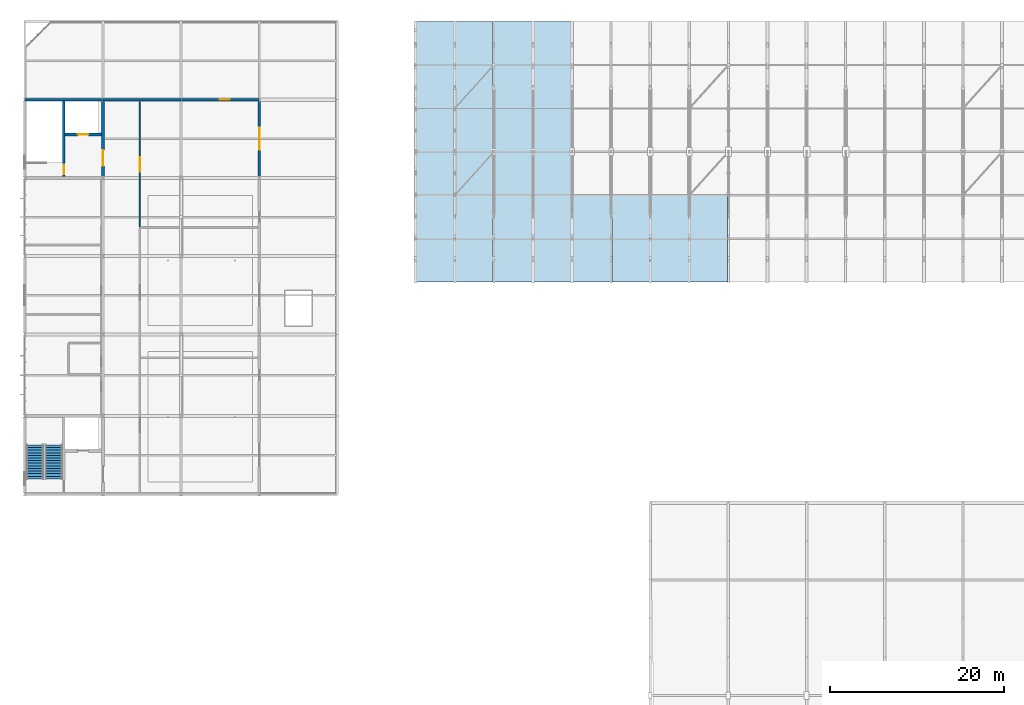
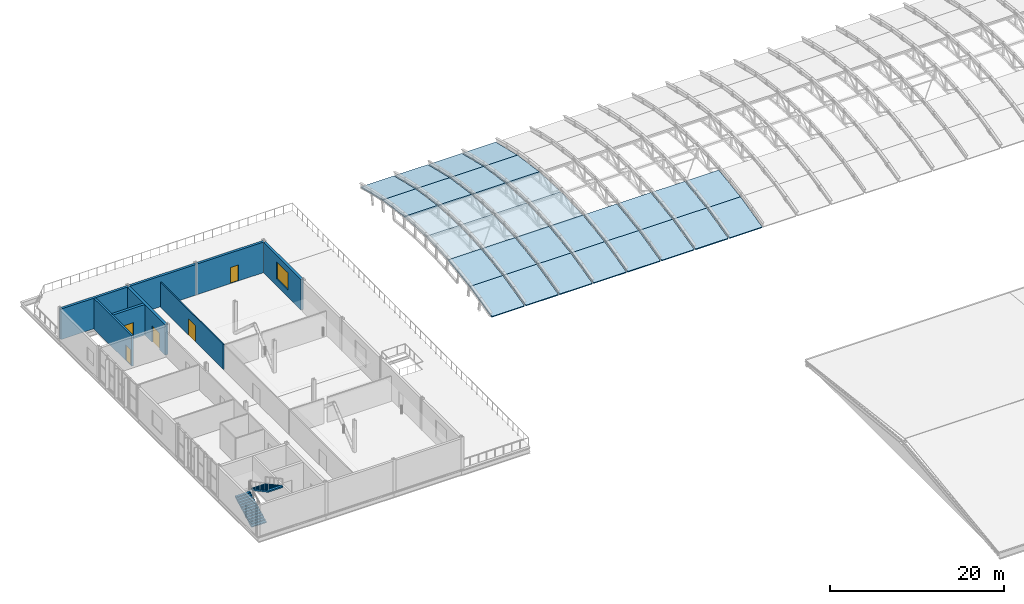
# One storey, part 43 of 53: 32 roofs, 8 walls, 5 doors, 2 stair flights, 1 window, 6 openings, 1 element without a shape of its own.
"""IFC4 building model written with IfcOpenShell, lengths in metres."""

from ifc_helpers import new_model, si_unit, direction, frame, frame_2d, origin, place, context, subcontext, project, spatial, polyline, rectangle, outline, extrude, material, layer, layer_set, type_object, element, fill, aggregate, save


model = new_model("IFC4")

# Units and contexts
model_context = context("Model", 3, precision=1e-05, world=origin(), true_north=direction((0.0, 1.0)))
body_context = subcontext(model_context, "Body", "Model", "MODEL_VIEW")
ifc_project = project(units=[si_unit("LENGTHUNIT", "METRE"), si_unit("AREAUNIT", "SQUARE_METRE"), si_unit("VOLUMEUNIT", "CUBIC_METRE"), si_unit("PLANEANGLEUNIT", "RADIAN"), si_unit("MASSUNIT", "GRAM", prefix="KILO")], contexts=[model_context])

# Site, building, storey
site_placement = place(None, origin())
site = spatial("IfcSite", under=ifc_project, at=site_placement, CompositionType="ELEMENT")
building_placement = place(site_placement, origin())
building = spatial("IfcBuilding", under=site, at=building_placement, Name="Cazmaro Siding Exhibition Halls", CompositionType="ELEMENT")
storey_placement = place(building_placement, frame((0.0, 0.0, 21.0)))
storey = spatial("IfcBuildingStorey", under=building, at=storey_placement, Name="L04", CompositionType="ELEMENT", Elevation=21.0)

# Wall, opening, window
ifc_material_1 = material(Name="Concrete f'c 45 MPa", Category="concrete")
ifc_layer_1 = layer(ifc_material_1, 0.320068359375)
ifc_layer_set_1 = layer_set([ifc_layer_1], Name="Concrete f'c 45 MPa")
wall_type_1 = type_object("IfcWallType", Name="EW-01", PredefinedType="STANDARD", material=ifc_layer_set_1)
wall_1_placement = place(storey_placement, frame((27.0, 99.820068359375, 0.0), z_axis=(0.0, 0.0, 1.0), x_axis=(0.0, -1.0, 0.0)))
wall_1 = element("IfcWall", 1, at=wall_1_placement, inside=storey, type_object=wall_type_1, Name="L04 Terrace Access Wall EW-01 WL-E0311", PredefinedType="STANDARD", context=body_context, shape_type="SweptSolid", body=[
    extrude(rectangle(XDim=8.64013671875, YDim=0.320068359375, at=frame_2d((4.320068359375, 0.0))), origin(), (0.0, 0.0, 1.0), 4.2900390625),
])
opening_1_placement = place(wall_1_placement, frame((3.044921875, 0.0, 1.0)))
opening_1 = element("IfcOpeningElement", 2, at=opening_1_placement, cuts=wall_1, Name="Opening W-105", PredefinedType="OPENING", context=body_context, shape_type="SweptSolid", body=[
    extrude(rectangle(XDim=2.550048828125, YDim=2.39990234375, at=frame_2d((1.27490234375, 1.199951171875))), frame((0.0, 0.169921875, 0.0), z_axis=(0.0, -1.0, 0.0), x_axis=(1.0, 0.0, 0.0)), (0.0, 0.0, 1.0), 0.340087890625),
])
ifc_material_2 = material(Name="Thermally Broken Aluminum Low-E Window Unit", Category="aluminium")
window_type = type_object("IfcWindowType", Name="WT-08", PartitioningType="SINGLE_PANEL", PredefinedType="WINDOW", material=ifc_material_2)
window_placement = place(opening_1_placement, origin())
window = element("IfcWindow", 3, at=window_placement, inside=storey, type_object=window_type, Name="Window W-105 (WT-08)", OverallHeight=2.39990234375, OverallWidth=2.550048828125, PartitioningType="SINGLE_PANEL", PredefinedType="WINDOW", context=body_context, shape_type="SweptSolid", body=[
    extrude(rectangle(XDim=2.550048828125, YDim=2.39990234375, at=frame_2d((1.27490234375, 1.199951171875))), frame((0.0, 0.030029296875, 0.0), z_axis=(0.0, -1.0, 0.0), x_axis=(1.0, 0.0, 0.0)), (0.0, 0.0, 1.0), 0.06005859375),
])
fill(opening_1, window)

# Walls
for number, where, z_axis, x_axis, name in (
    (4, (0.014892578125, 100.0, 0.0), (0.0, 0.0, 1.0), (1.0, 0.0, 0.0), "L04 North Terrace Wall EW-01 WL-E0315"),
    (5, (9.014892578125, 100.0, 0.0), (0.0, 0.0, 1.0), (1.0, 0.0, 0.0), "L04 North Terrace Wall EW-01 WL-E0316"),
):
    element("IfcWall", number, at=place(storey_placement, frame(where, z_axis=z_axis, x_axis=x_axis)), inside=storey, type_object=wall_type_1, Name=name, PredefinedType="STANDARD", context=body_context, shape_type="SweptSolid", body=[
        extrude(rectangle(XDim=8.97021484375, YDim=0.320068359375, at=frame_2d((4.485107421875, 0.0))), origin(), (0.0, 0.0, 1.0), 4.2900390625),
    ])

# Wall, opening, door
wall_2_placement = place(storey_placement, frame((18.014892578125, 100.0, 0.0), z_axis=(0.0, 0.0, 1.0), x_axis=(1.0, 0.0, 0.0)))
wall_2 = element("IfcWall", 6, at=wall_2_placement, inside=storey, type_object=wall_type_1, Name="L04 North Terrace Wall EW-01 WL-E0317", PredefinedType="STANDARD", context=body_context, shape_type="SweptSolid", body=[
    extrude(rectangle(XDim=8.97021484375, YDim=0.320068359375, at=frame_2d((4.485107421875, 0.0))), origin(), (0.0, 0.0, 1.0), 4.2900390625),
])
opening_2_placement = place(wall_2_placement, frame((4.449951171875, 0.0, 0.0)))
opening_2 = element("IfcOpeningElement", 7, at=opening_2_placement, cuts=wall_2, Name="Opening D-E076", PredefinedType="OPENING", context=body_context, shape_type="SweptSolid", body=[
    extrude(rectangle(XDim=1.1201171875, YDim=2.239990234375, at=frame_2d((0.56005859375, 1.1201171875))), frame((0.0, 0.169921875, 0.0), z_axis=(0.0, -1.0, 0.0), x_axis=(1.0, 0.0, 0.0)), (0.0, 0.0, 1.0), 0.340087890625),
])
ifc_material_3 = material(Name="Anodized Bronze Glazed Entrance Door", Category="aluminium")
door_type_1 = type_object("IfcDoorType", Name="ED-04", OperationType="NOTDEFINED", PredefinedType="DOOR", material=ifc_material_3)
door_1_placement = place(opening_2_placement, origin())
door_1 = element("IfcDoor", 8, at=door_1_placement, inside=storey, type_object=door_type_1, Name="Exterior door D-E076 (ED-04)", OperationType="SINGLE_SWING_RIGHT", OverallHeight=2.239990234375, OverallWidth=1.1201171875, PredefinedType="DOOR", context=body_context, shape_type="SweptSolid", body=[
    extrude(rectangle(XDim=1.1201171875, YDim=2.239990234375, at=frame_2d((0.56005859375, 1.1201171875))), frame((0.0, 0.02490234375, 0.0), z_axis=(0.0, -1.0, 0.0), x_axis=(1.0, 0.0, 0.0)), (0.0, 0.0, 1.0), 0.050048828125),
])
fill(opening_2, door_1)

ifc_material_4 = material(Name="Fire-Rated Gypsum Board on Cold-Formed Steel Studs", Category="steel")
ifc_layer_2 = layer(ifc_material_4, 0.14501953125)
ifc_layer_set_2 = layer_set([ifc_layer_2], Name="Fire-Rated Gypsum Board on Cold-Formed Steel Studs")
wall_type_2 = type_object("IfcWallType", Name="PW-01", PredefinedType="PARTITIONING", material=ifc_layer_set_2)
wall_3_placement = place(storey_placement, frame((13.25, 85.3798828125, 0.0), z_axis=(0.0, 0.0, 1.0), x_axis=(0.0, 1.0, 0.0)))
wall_3 = element("IfcWall", 9, at=wall_3_placement, inside=storey, type_object=wall_type_2, Name="West Wing East Corridor Wall L04 PW-01 WL-I0274", PredefinedType="PARTITIONING", context=body_context, shape_type="SweptSolid", body=[
    extrude(rectangle(XDim=14.3701171875, YDim=0.14501953125, at=frame_2d((7.18505859375, 0.0))), origin(), (0.0, 0.0, 1.0), 3.5),
])
opening_3_placement = place(wall_3_placement, frame((6.360107421875, 0.0, 0.0)))
opening_3 = element("IfcOpeningElement", 10, at=opening_3_placement, cuts=wall_3, Name="Opening D-I130", PredefinedType="OPENING", context=body_context, shape_type="SweptSolid", body=[
    extrude(rectangle(XDim=1.64990234375, YDim=2.25, at=frame_2d((0.824951171875, 1.125))), frame((0.0, 0.08251953125, 0.0), z_axis=(0.0, -1.0, 0.0), x_axis=(1.0, 0.0, 0.0)), (0.0, 0.0, 1.0), 0.1650390625),
])
ifc_material_5 = material(Name="Fire-Rated Painted Hollow Metal Door", Category="steel")
door_type_2 = type_object("IfcDoorType", Name="ID-05", OperationType="DOUBLE_DOOR_SINGLE_SWING", PredefinedType="DOOR", material=ifc_material_5)
door_2_placement = place(opening_3_placement, origin())
door_2 = element("IfcDoor", 11, at=door_2_placement, inside=storey, type_object=door_type_2, Name="Interior door D-I130 (ID-05)", OperationType="DOUBLE_DOOR_SINGLE_SWING", OverallHeight=2.25, OverallWidth=1.64990234375, PredefinedType="DOOR", context=body_context, shape_type="SweptSolid", body=[
    extrude(rectangle(XDim=1.64990234375, YDim=2.25, at=frame_2d((0.824951171875, 1.125))), frame((0.0, 0.02490234375, 0.0), z_axis=(0.0, -1.0, 0.0), x_axis=(1.0, 0.0, 0.0)), (0.0, 0.0, 1.0), 0.050048828125),
])
fill(opening_3, door_2)

ifc_material_6 = material(Name="Concrete f'c 50 MPa", Category="concrete")
ifc_layer_3 = layer(ifc_material_6, 0.360107421875)
ifc_layer_set_3 = layer_set([ifc_layer_3], Name="Concrete f'c 50 MPa")
wall_type_3 = type_object("IfcWallType", Name="SW-01", PredefinedType="SHEAR", material=ifc_layer_set_3)
wall_4_placement = place(storey_placement, frame((9.0, 91.180908203125, 0.0), z_axis=(0.0, 0.0, 1.0), x_axis=(0.0, 1.0, 0.0)))
wall_4 = element("IfcWall", 12, at=wall_4_placement, inside=storey, type_object=wall_type_3, Name="Core C8 East Shear Wall SW-01 WL-I0119", PredefinedType="SHEAR", context=body_context, shape_type="SweptSolid", body=[
    extrude(rectangle(XDim=8.63818359375, YDim=0.360107421875, at=frame_2d((4.319091796875, 0.0))), origin(), (0.0, 0.0, 1.0), 4.2900390625),
])
opening_4_placement = place(wall_4_placement, frame((1.218994140625, 0.0, 0.0)))
opening_4 = element("IfcOpeningElement", 13, at=opening_4_placement, cuts=wall_4, Name="Opening D-I058", PredefinedType="OPENING", context=body_context, shape_type="SweptSolid", body=[
    extrude(rectangle(XDim=1.800048828125, YDim=2.300048828125, at=frame_2d((0.89990234375, 1.14990234375))), frame((0.0, 0.18994140625, 0.0), z_axis=(0.0, -1.0, 0.0), x_axis=(1.0, 0.0, 0.0)), (0.0, 0.0, 1.0), 0.380126953125),
])
ifc_material_7 = material(Name="Fire-Rated Painted Hollow Metal Door", Category="steel")
door_type_3 = type_object("IfcDoorType", Name="ID-02", OperationType="DOUBLE_DOOR_SINGLE_SWING", PredefinedType="DOOR", material=ifc_material_7)
door_3_placement = place(opening_4_placement, origin())
door_3 = element("IfcDoor", 14, at=door_3_placement, inside=storey, type_object=door_type_3, Name="Interior door D-I058 (ID-02)", OperationType="DOUBLE_DOOR_SINGLE_SWING", OverallHeight=2.300048828125, OverallWidth=1.800048828125, PredefinedType="DOOR", context=body_context, shape_type="SweptSolid", body=[
    extrude(rectangle(XDim=1.800048828125, YDim=2.300048828125, at=frame_2d((0.89990234375, 1.14990234375))), frame((0.0, 0.02490234375, 0.0), z_axis=(0.0, -1.0, 0.0), x_axis=(1.0, 0.0, 0.0)), (0.0, 0.0, 1.0), 0.050048828125),
])
fill(opening_4, door_3)

wall_5_placement = place(storey_placement, frame((4.614990234375, 96.0, 0.0), z_axis=(0.0, 0.0, 1.0), x_axis=(1.0, 0.0, 0.0)))
wall_5 = element("IfcWall", 15, at=wall_5_placement, inside=storey, type_object=wall_type_3, Name="Core C8 Lift Shaft Wall SW-01 WL-I0122", PredefinedType="SHEAR", context=body_context, shape_type="SweptSolid", body=[
    extrude(rectangle(XDim=4.219970703125, YDim=0.360107421875, at=frame_2d((2.10986328125, 0.0))), origin(), (0.0, 0.0, 1.0), 4.2900390625),
])
opening_5_placement = place(wall_5_placement, frame((1.510009765625, 0.0, 0.0)))
opening_5 = element("IfcOpeningElement", 16, at=opening_5_placement, cuts=wall_5, Name="Opening LD-029", PredefinedType="OPENING", context=body_context, shape_type="SweptSolid", body=[
    extrude(rectangle(XDim=1.199951171875, YDim=2.300048828125, at=frame_2d((0.60009765625, 1.14990234375))), frame((0.0, 0.18994140625, 0.0), z_axis=(0.0, -1.0, 0.0), x_axis=(1.0, 0.0, 0.0)), (0.0, 0.0, 1.0), 0.380126953125),
])
ifc_material_8 = material(Name="Stainless Steel Elevator Landing Door", Category="steel")
door_type_4 = type_object("IfcDoorType", Name="LD-01", OperationType="SLIDING_TO_LEFT", PredefinedType="DOOR", material=ifc_material_8)
door_4_placement = place(opening_5_placement, origin())
door_4 = element("IfcDoor", 17, at=door_4_placement, inside=storey, type_object=door_type_4, Name="Interior door LD-029 (LD-01)", OperationType="SLIDING_TO_LEFT", OverallHeight=2.300048828125, OverallWidth=1.199951171875, PredefinedType="DOOR", context=body_context, shape_type="SweptSolid", body=[
    extrude(rectangle(XDim=1.199951171875, YDim=2.300048828125, at=frame_2d((0.60009765625, 1.14990234375))), frame((0.0, 0.02490234375, 0.0), z_axis=(0.0, -1.0, 0.0), x_axis=(1.0, 0.0, 0.0)), (0.0, 0.0, 1.0), 0.050048828125),
])
fill(opening_5, door_4)

ifc_material_9 = material(Name="Concrete f'c 50 MPa", Category="concrete")
ifc_layer_4 = layer(ifc_material_9, 0.25)
ifc_layer_set_4 = layer_set([ifc_layer_4], Name="Concrete f'c 50 MPa")
wall_type_4 = type_object("IfcWallType", Name="SW-02", PredefinedType="SHEAR", material=ifc_layer_set_4)
wall_6_placement = place(storey_placement, frame((4.5, 91.1650390625, 0.0), z_axis=(0.0, 0.0, 1.0), x_axis=(0.0, 1.0, 0.0)))
wall_6 = element("IfcWall", 18, at=wall_6_placement, inside=storey, type_object=wall_type_4, Name="Core C8 Stair-Lobby Divider SW-02 WL-I0121", PredefinedType="SHEAR", context=body_context, shape_type="SweptSolid", body=[
    extrude(rectangle(XDim=8.669921875, YDim=0.25, at=frame_2d((4.3349609375, 0.0))), origin(), (0.0, 0.0, 1.0), 4.2900390625),
])
opening_6_placement = place(wall_6_placement, frame((0.25, 0.0, 0.0)))
opening_6 = element("IfcOpeningElement", 19, at=opening_6_placement, cuts=wall_6, Name="Opening D-I057", PredefinedType="OPENING", context=body_context, shape_type="SweptSolid", body=[
    extrude(rectangle(XDim=1.10009765625, YDim=2.199951171875, at=frame_2d((0.550048828125, 1.10009765625))), frame((0.0, 0.135009765625, 0.0), z_axis=(0.0, -1.0, 0.0), x_axis=(1.0, 0.0, 0.0)), (0.0, 0.0, 1.0), 0.27001953125),
])
ifc_material_10 = material(Name="Fire-Rated Painted Hollow Metal Door", Category="steel")
door_type_5 = type_object("IfcDoorType", Name="ID-01", OperationType="NOTDEFINED", PredefinedType="DOOR", material=ifc_material_10)
door_5_placement = place(opening_6_placement, origin())
door_5 = element("IfcDoor", 20, at=door_5_placement, inside=storey, type_object=door_type_5, Name="Interior door D-I057 (ID-01)", OperationType="SINGLE_SWING_RIGHT", OverallHeight=2.199951171875, OverallWidth=1.10009765625, PredefinedType="DOOR", context=body_context, shape_type="SweptSolid", body=[
    extrude(rectangle(XDim=1.10009765625, YDim=2.199951171875, at=frame_2d((0.550048828125, 1.10009765625))), frame((0.0, 0.02490234375, 0.0), z_axis=(0.0, -1.0, 0.0), x_axis=(1.0, 0.0, 0.0)), (0.0, 0.0, 1.0), 0.050048828125),
])
fill(opening_6, door_5)

# Stair, stair flights
ifc_material_11 = material(Name="Concrete f'c 40 MPa", Category="concrete")
stair_type = type_object("IfcStairType", Name="STT-17", PredefinedType="TWO_STRAIGHT_RUN_STAIR", material=ifc_material_11)
stair_placement = place(storey_placement, origin())
stair = element("IfcStair", 21, at=stair_placement, inside=storey, type_object=stair_type, Name="Core C7 Exit Stair L04-RF ST-17", PredefinedType="TWO_STRAIGHT_RUN_STAIR")
ifc_material_12 = material(Name="Concrete f'c 40 MPa", Category="concrete")
stair_flight_type = type_object("IfcStairFlightType", Name="STF-17", PredefinedType="STRAIGHT", material=ifc_material_12)
stair_flight_1_placement = place(storey_placement, frame((1.205078125, 56.360107421875, 0.0), z_axis=(0.0, 0.0, 1.0), x_axis=(0.0, 1.0, 0.0)))
stair_flight_1 = element("IfcStairFlight", 22, at=stair_flight_1_placement, type_object=stair_flight_type, Name="ST-17 flight 1", NumberOfRisers=14, NumberOfTreads=13, PredefinedType="STRAIGHT", RiserHeight=0.16071, TreadLength=0.3, context=body_context, shape_type="SweptSolid", body=[
    extrude(outline(polyline([(0.0, 0.0), (0.0, 0.16064453125), (0.300048828125, 0.16064453125), (0.300048828125, 0.321533203125), (0.60009765625, 0.321533203125), (0.60009765625, 0.482177734375), (0.89990234375, 0.482177734375), (0.89990234375, 0.642822265625), (1.199951171875, 0.642822265625), (1.199951171875, 0.803466796875), (1.5, 0.803466796875), (1.5, 0.96435546875), (1.800048828125, 0.96435546875), (1.800048828125, 1.125), (2.10009765625, 1.125), (2.10009765625, 1.28564453125), (2.39990234375, 1.28564453125), (2.39990234375, 1.4462890625), (2.699951171875, 1.4462890625), (2.699951171875, 1.607177734375), (3.0, 1.607177734375), (3.0, 1.767822265625), (3.300048828125, 1.767822265625), (3.300048828125, 1.928466796875), (3.60009765625, 1.928466796875), (3.60009765625, 2.089111328125), (3.89990234375, 2.089111328125), (3.89990234375, 2.25), (3.89990234375, 1.90771484375), (0.338623046875, 0.0), (0.0, 0.0)])), frame((0.0, 0.97998046875, 0.0), z_axis=(0.0, -1.0, 0.0), x_axis=(1.0, 0.0, 0.0)), (0.0, 0.0, 1.0), 1.9599609375),
])
stair_flight_2_placement = place(storey_placement, frame((3.35009765625, 60.260009765625, 2.25), z_axis=(0.0, 0.0, 1.0), x_axis=(0.0, -1.0, 0.0)))
stair_flight_2 = element("IfcStairFlight", 23, at=stair_flight_2_placement, type_object=stair_flight_type, Name="ST-17 flight 2", NumberOfRisers=14, NumberOfTreads=13, PredefinedType="STRAIGHT", RiserHeight=0.16071, TreadLength=0.3, context=body_context, shape_type="SweptSolid", body=[
    extrude(outline(polyline([(0.0, 0.0), (0.0, 0.16064453125), (0.300048828125, 0.16064453125), (0.300048828125, 0.321533203125), (0.60009765625, 0.321533203125), (0.60009765625, 0.482177734375), (0.89990234375, 0.482177734375), (0.89990234375, 0.642822265625), (1.199951171875, 0.642822265625), (1.199951171875, 0.803466796875), (1.5, 0.803466796875), (1.5, 0.96435546875), (1.800048828125, 0.96435546875), (1.800048828125, 1.125), (2.10009765625, 1.125), (2.10009765625, 1.28564453125), (2.39990234375, 1.28564453125), (2.39990234375, 1.4462890625), (2.699951171875, 1.4462890625), (2.699951171875, 1.607177734375), (3.0, 1.607177734375), (3.0, 1.767822265625), (3.300048828125, 1.767822265625), (3.300048828125, 1.928466796875), (3.60009765625, 1.928466796875), (3.60009765625, 2.089111328125), (3.89990234375, 2.089111328125), (3.89990234375, 2.25), (3.89990234375, 1.90771484375), (0.338623046875, 0.0), (0.0, 0.0)])), frame((0.0, 0.97998046875, 0.0), z_axis=(0.0, -1.0, 0.0), x_axis=(1.0, 0.0, 0.0)), (0.0, 0.0, 1.0), 1.9599609375),
])
aggregate(stair, [stair_flight_1, stair_flight_2])

# Roofs
ifc_material_13 = material(Name="Standing Seam Zinc Insulated Roof Assembly", Category="steel")
roof_type = type_object("IfcRoofType", Name="RF-BARREL-01", PredefinedType="BARREL_ROOF", material=ifc_material_13)
roof_1_placement = place(storey_placement, frame((45.0849609375, 79.0, 0.114990234375), z_axis=(0.0, -0.233723079924, 0.972303204721), x_axis=(1.0, 0.0, 0.0)))
element("IfcRoof", 24, at=roof_1_placement, inside=storey, type_object=roof_type, Name="Primary Hall Standing Seam Zinc Roof Cassette RF-V1 004", PredefinedType="BARREL_ROOF", context=body_context, shape_type="SweptSolid", body=[
    extrude(outline(polyline([(0.0, 0.0), (4.330078125, 0.0), (4.330078125, 5.142428797644804), (0.0, 5.142428797644804), (0.0, 0.0)])), origin(), (0.0, 0.0, -1.0), 0.159912109375),
])
roof_2_placement = place(storey_placement, frame((45.0849609375, 84.0, 1.31689453125), z_axis=(0.0, -0.140392508323, 0.990095926467), x_axis=(1.0, 0.0, 0.0)))
element("IfcRoof", 25, at=roof_2_placement, inside=storey, type_object=roof_type, Name="Primary Hall Standing Seam Zinc Roof Cassette RF-V1 005", PredefinedType="BARREL_ROOF", context=body_context, shape_type="SweptSolid", body=[
    extrude(outline(polyline([(0.0, 0.0), (4.330078125, 0.0), (4.330078125, 5.050015727103643), (0.0, 5.050015727103643), (0.0, 0.0)])), origin(), (0.0, 0.0, -1.0), 0.159912109375),
])
for number, where, z_axis, x_axis, name in (
    (26, (45.0849609375, 89.0, 2.02587890625), (0.0, -0.046774918499, 0.998905454485), (1.0, 0.0, 0.0), "Primary Hall Standing Seam Zinc Roof Cassette RF-V1 006"),
    (27, (45.0849609375, 94.0, 2.260009765625), (0.0, 0.046774918499, 0.998905454485), (1.0, 0.0, 0.0), "Primary Hall Standing Seam Zinc Roof Cassette RF-V1 007"),
):
    element("IfcRoof", number, at=place(storey_placement, frame(where, z_axis=z_axis, x_axis=x_axis)), inside=storey, type_object=roof_type, Name=name, PredefinedType="BARREL_ROOF", context=body_context, shape_type="SweptSolid", body=[
        extrude(outline(polyline([(0.0, 0.0), (4.330078125, 0.0), (4.330078125, 5.005478724289183), (0.0, 5.005478724289183), (0.0, 0.0)])), origin(), (0.0, 0.0, -1.0), 0.159912109375),
    ])
roof_3_placement = place(storey_placement, frame((45.0849609375, 99.0, 2.02587890625), z_axis=(0.0, 0.140392508323, 0.990095926467), x_axis=(1.0, 0.0, 0.0)))
element("IfcRoof", 28, at=roof_3_placement, inside=storey, type_object=roof_type, Name="Primary Hall Standing Seam Zinc Roof Cassette RF-V1 008", PredefinedType="BARREL_ROOF", context=body_context, shape_type="SweptSolid", body=[
    extrude(outline(polyline([(0.0, 0.0), (4.330078125, 0.0), (4.330078125, 5.050015727103643), (0.0, 5.050015727103643), (0.0, 0.0)])), origin(), (0.0, 0.0, -1.0), 0.159912109375),
])
for number, where, z_axis, x_axis, name in (
    (29, (45.0849609375, 104.0, 1.31689453125), (0.0, 0.233723079924, 0.972303204721), (1.0, 0.0, 0.0), "Primary Hall Standing Seam Zinc Roof Cassette RF-V1 009"),
    (30, (49.5849609375, 79.0, 0.114990234375), (0.0, -0.233723079924, 0.972303204721), (1.0, 0.0, 0.0), "Primary Hall Standing Seam Zinc Roof Cassette RF-V1 016"),
):
    element("IfcRoof", number, at=place(storey_placement, frame(where, z_axis=z_axis, x_axis=x_axis)), inside=storey, type_object=roof_type, Name=name, PredefinedType="BARREL_ROOF", context=body_context, shape_type="SweptSolid", body=[
        extrude(outline(polyline([(0.0, 0.0), (4.330078125, 0.0), (4.330078125, 5.142428797644804), (0.0, 5.142428797644804), (0.0, 0.0)])), origin(), (0.0, 0.0, -1.0), 0.159912109375),
    ])
roof_4_placement = place(storey_placement, frame((49.5849609375, 84.0, 1.31689453125), z_axis=(0.0, -0.140392508323, 0.990095926467), x_axis=(1.0, 0.0, 0.0)))
element("IfcRoof", 31, at=roof_4_placement, inside=storey, type_object=roof_type, Name="Primary Hall Standing Seam Zinc Roof Cassette RF-V1 017", PredefinedType="BARREL_ROOF", context=body_context, shape_type="SweptSolid", body=[
    extrude(outline(polyline([(0.0, 0.0), (4.330078125, 0.0), (4.330078125, 5.050015727103643), (0.0, 5.050015727103643), (0.0, 0.0)])), origin(), (0.0, 0.0, -1.0), 0.159912109375),
])
for number, where, z_axis, x_axis, name in (
    (32, (49.5849609375, 89.0, 2.02587890625), (0.0, -0.046774918499, 0.998905454485), (1.0, 0.0, 0.0), "Primary Hall Standing Seam Zinc Roof Cassette RF-V1 018"),
    (33, (49.5849609375, 94.0, 2.260009765625), (0.0, 0.046774918499, 0.998905454485), (1.0, 0.0, 0.0), "Primary Hall Standing Seam Zinc Roof Cassette RF-V1 019"),
):
    element("IfcRoof", number, at=place(storey_placement, frame(where, z_axis=z_axis, x_axis=x_axis)), inside=storey, type_object=roof_type, Name=name, PredefinedType="BARREL_ROOF", context=body_context, shape_type="SweptSolid", body=[
        extrude(outline(polyline([(0.0, 0.0), (4.330078125, 0.0), (4.330078125, 5.005478724289183), (0.0, 5.005478724289183), (0.0, 0.0)])), origin(), (0.0, 0.0, -1.0), 0.159912109375),
    ])
roof_5_placement = place(storey_placement, frame((49.5849609375, 99.0, 2.02587890625), z_axis=(0.0, 0.140392508323, 0.990095926467), x_axis=(1.0, 0.0, 0.0)))
element("IfcRoof", 34, at=roof_5_placement, inside=storey, type_object=roof_type, Name="Primary Hall Standing Seam Zinc Roof Cassette RF-V1 020", PredefinedType="BARREL_ROOF", context=body_context, shape_type="SweptSolid", body=[
    extrude(outline(polyline([(0.0, 0.0), (4.330078125, 0.0), (4.330078125, 5.050015727103643), (0.0, 5.050015727103643), (0.0, 0.0)])), origin(), (0.0, 0.0, -1.0), 0.159912109375),
])
for number, where, z_axis, x_axis, name in (
    (35, (49.5849609375, 104.0, 1.31689453125), (0.0, 0.233723079924, 0.972303204721), (1.0, 0.0, 0.0), "Primary Hall Standing Seam Zinc Roof Cassette RF-V1 021"),
    (36, (54.0849609375, 79.0, 0.114990234375), (0.0, -0.233723079924, 0.972303204721), (1.0, 0.0, 0.0), "Primary Hall Standing Seam Zinc Roof Cassette RF-V1 028"),
):
    element("IfcRoof", number, at=place(storey_placement, frame(where, z_axis=z_axis, x_axis=x_axis)), inside=storey, type_object=roof_type, Name=name, PredefinedType="BARREL_ROOF", context=body_context, shape_type="SweptSolid", body=[
        extrude(outline(polyline([(0.0, 0.0), (4.330078125, 0.0), (4.330078125, 5.142428797644804), (0.0, 5.142428797644804), (0.0, 0.0)])), origin(), (0.0, 0.0, -1.0), 0.159912109375),
    ])
roof_6_placement = place(storey_placement, frame((54.0849609375, 84.0, 1.31689453125), z_axis=(0.0, -0.140392508323, 0.990095926467), x_axis=(1.0, 0.0, 0.0)))
element("IfcRoof", 37, at=roof_6_placement, inside=storey, type_object=roof_type, Name="Primary Hall Standing Seam Zinc Roof Cassette RF-V1 029", PredefinedType="BARREL_ROOF", context=body_context, shape_type="SweptSolid", body=[
    extrude(outline(polyline([(0.0, 0.0), (4.330078125, 0.0), (4.330078125, 5.050015727103643), (0.0, 5.050015727103643), (0.0, 0.0)])), origin(), (0.0, 0.0, -1.0), 0.159912109375),
])
for number, where, z_axis, x_axis, name in (
    (38, (54.0849609375, 89.0, 2.02587890625), (0.0, -0.046774918499, 0.998905454485), (1.0, 0.0, 0.0), "Primary Hall Standing Seam Zinc Roof Cassette RF-V1 030"),
    (39, (54.0849609375, 94.0, 2.260009765625), (0.0, 0.046774918499, 0.998905454485), (1.0, 0.0, 0.0), "Primary Hall Standing Seam Zinc Roof Cassette RF-V1 031"),
):
    element("IfcRoof", number, at=place(storey_placement, frame(where, z_axis=z_axis, x_axis=x_axis)), inside=storey, type_object=roof_type, Name=name, PredefinedType="BARREL_ROOF", context=body_context, shape_type="SweptSolid", body=[
        extrude(outline(polyline([(0.0, 0.0), (4.330078125, 0.0), (4.330078125, 5.005478724289183), (0.0, 5.005478724289183), (0.0, 0.0)])), origin(), (0.0, 0.0, -1.0), 0.159912109375),
    ])
roof_7_placement = place(storey_placement, frame((54.0849609375, 99.0, 2.02587890625), z_axis=(0.0, 0.140392508323, 0.990095926467), x_axis=(1.0, 0.0, 0.0)))
element("IfcRoof", 40, at=roof_7_placement, inside=storey, type_object=roof_type, Name="Primary Hall Standing Seam Zinc Roof Cassette RF-V1 032", PredefinedType="BARREL_ROOF", context=body_context, shape_type="SweptSolid", body=[
    extrude(outline(polyline([(0.0, 0.0), (4.330078125, 0.0), (4.330078125, 5.050015727103643), (0.0, 5.050015727103643), (0.0, 0.0)])), origin(), (0.0, 0.0, -1.0), 0.159912109375),
])
for number, where, z_axis, x_axis, name in (
    (41, (54.0849609375, 104.0, 1.31689453125), (0.0, 0.233723079924, 0.972303204721), (1.0, 0.0, 0.0), "Primary Hall Standing Seam Zinc Roof Cassette RF-V1 033"),
    (42, (58.5849609375, 79.0, 0.114990234375), (0.0, -0.233723079924, 0.972303204721), (1.0, 0.0, 0.0), "Primary Hall Standing Seam Zinc Roof Cassette RF-V1 040"),
):
    element("IfcRoof", number, at=place(storey_placement, frame(where, z_axis=z_axis, x_axis=x_axis)), inside=storey, type_object=roof_type, Name=name, PredefinedType="BARREL_ROOF", context=body_context, shape_type="SweptSolid", body=[
        extrude(outline(polyline([(0.0, 0.0), (4.330078125, 0.0), (4.330078125, 5.142428797644804), (0.0, 5.142428797644804), (0.0, 0.0)])), origin(), (0.0, 0.0, -1.0), 0.159912109375),
    ])
roof_8_placement = place(storey_placement, frame((58.5849609375, 84.0, 1.31689453125), z_axis=(0.0, -0.140392508323, 0.990095926467), x_axis=(1.0, 0.0, 0.0)))
element("IfcRoof", 43, at=roof_8_placement, inside=storey, type_object=roof_type, Name="Primary Hall Standing Seam Zinc Roof Cassette RF-V1 041", PredefinedType="BARREL_ROOF", context=body_context, shape_type="SweptSolid", body=[
    extrude(outline(polyline([(0.0, 0.0), (4.330078125, 0.0), (4.330078125, 5.050015727103643), (0.0, 5.050015727103643), (0.0, 0.0)])), origin(), (0.0, 0.0, -1.0), 0.159912109375),
])
for number, where, z_axis, x_axis, name in (
    (44, (58.5849609375, 89.0, 2.02587890625), (0.0, -0.046774918499, 0.998905454485), (1.0, 0.0, 0.0), "Primary Hall Standing Seam Zinc Roof Cassette RF-V1 042"),
    (45, (58.5849609375, 94.0, 2.260009765625), (0.0, 0.046774918499, 0.998905454485), (1.0, 0.0, 0.0), "Primary Hall Standing Seam Zinc Roof Cassette RF-V1 043"),
):
    element("IfcRoof", number, at=place(storey_placement, frame(where, z_axis=z_axis, x_axis=x_axis)), inside=storey, type_object=roof_type, Name=name, PredefinedType="BARREL_ROOF", context=body_context, shape_type="SweptSolid", body=[
        extrude(outline(polyline([(0.0, 0.0), (4.330078125, 0.0), (4.330078125, 5.005478724289183), (0.0, 5.005478724289183), (0.0, 0.0)])), origin(), (0.0, 0.0, -1.0), 0.159912109375),
    ])
roof_9_placement = place(storey_placement, frame((58.5849609375, 99.0, 2.02587890625), z_axis=(0.0, 0.140392508323, 0.990095926467), x_axis=(1.0, 0.0, 0.0)))
element("IfcRoof", 46, at=roof_9_placement, inside=storey, type_object=roof_type, Name="Primary Hall Standing Seam Zinc Roof Cassette RF-V1 044", PredefinedType="BARREL_ROOF", context=body_context, shape_type="SweptSolid", body=[
    extrude(outline(polyline([(0.0, 0.0), (4.330078125, 0.0), (4.330078125, 5.050015727103643), (0.0, 5.050015727103643), (0.0, 0.0)])), origin(), (0.0, 0.0, -1.0), 0.159912109375),
])
for number, where, z_axis, x_axis, name in (
    (47, (58.5849609375, 104.0, 1.31689453125), (0.0, 0.233723079924, 0.972303204721), (1.0, 0.0, 0.0), "Primary Hall Standing Seam Zinc Roof Cassette RF-V1 045"),
    (48, (63.0849609375, 79.0, 0.114990234375), (0.0, -0.233723079924, 0.972303204721), (1.0, 0.0, 0.0), "Primary Hall Standing Seam Zinc Roof Cassette RF-V1 052"),
):
    element("IfcRoof", number, at=place(storey_placement, frame(where, z_axis=z_axis, x_axis=x_axis)), inside=storey, type_object=roof_type, Name=name, PredefinedType="BARREL_ROOF", context=body_context, shape_type="SweptSolid", body=[
        extrude(outline(polyline([(0.0, 0.0), (4.330078125, 0.0), (4.330078125, 5.142428797644804), (0.0, 5.142428797644804), (0.0, 0.0)])), origin(), (0.0, 0.0, -1.0), 0.159912109375),
    ])
roof_10_placement = place(storey_placement, frame((63.0849609375, 84.0, 1.31689453125), z_axis=(0.0, -0.140392508323, 0.990095926467), x_axis=(1.0, 0.0, 0.0)))
element("IfcRoof", 49, at=roof_10_placement, inside=storey, type_object=roof_type, Name="Primary Hall Standing Seam Zinc Roof Cassette RF-V1 053", PredefinedType="BARREL_ROOF", context=body_context, shape_type="SweptSolid", body=[
    extrude(outline(polyline([(0.0, 0.0), (4.330078125, 0.0), (4.330078125, 5.050015727103643), (0.0, 5.050015727103643), (0.0, 0.0)])), origin(), (0.0, 0.0, -1.0), 0.159912109375),
])
roof_11_placement = place(storey_placement, frame((67.5849609375, 79.0, 0.114990234375), z_axis=(0.0, -0.233723079924, 0.972303204721), x_axis=(1.0, 0.0, 0.0)))
element("IfcRoof", 50, at=roof_11_placement, inside=storey, type_object=roof_type, Name="Primary Hall Standing Seam Zinc Roof Cassette RF-V1 064", PredefinedType="BARREL_ROOF", context=body_context, shape_type="SweptSolid", body=[
    extrude(outline(polyline([(0.0, 0.0), (4.330078125, 0.0), (4.330078125, 5.142428797644804), (0.0, 5.142428797644804), (0.0, 0.0)])), origin(), (0.0, 0.0, -1.0), 0.159912109375),
])
roof_12_placement = place(storey_placement, frame((67.5849609375, 84.0, 1.31689453125), z_axis=(0.0, -0.140392508323, 0.990095926467), x_axis=(1.0, 0.0, 0.0)))
element("IfcRoof", 51, at=roof_12_placement, inside=storey, type_object=roof_type, Name="Primary Hall Standing Seam Zinc Roof Cassette RF-V1 065", PredefinedType="BARREL_ROOF", context=body_context, shape_type="SweptSolid", body=[
    extrude(outline(polyline([(0.0, 0.0), (4.330078125, 0.0), (4.330078125, 5.050015727103643), (0.0, 5.050015727103643), (0.0, 0.0)])), origin(), (0.0, 0.0, -1.0), 0.159912109375),
])
roof_13_placement = place(storey_placement, frame((72.0849609375, 79.0, 0.114990234375), z_axis=(0.0, -0.233723079924, 0.972303204721), x_axis=(1.0, 0.0, 0.0)))
element("IfcRoof", 52, at=roof_13_placement, inside=storey, type_object=roof_type, Name="Primary Hall Standing Seam Zinc Roof Cassette RF-V1 076", PredefinedType="BARREL_ROOF", context=body_context, shape_type="SweptSolid", body=[
    extrude(outline(polyline([(0.0, 0.0), (4.330078125, 0.0), (4.330078125, 5.142428797644804), (0.0, 5.142428797644804), (0.0, 0.0)])), origin(), (0.0, 0.0, -1.0), 0.159912109375),
])
roof_14_placement = place(storey_placement, frame((72.0849609375, 84.0, 1.31689453125), z_axis=(0.0, -0.140392508323, 0.990095926467), x_axis=(1.0, 0.0, 0.0)))
element("IfcRoof", 53, at=roof_14_placement, inside=storey, type_object=roof_type, Name="Primary Hall Standing Seam Zinc Roof Cassette RF-V1 077", PredefinedType="BARREL_ROOF", context=body_context, shape_type="SweptSolid", body=[
    extrude(outline(polyline([(0.0, 0.0), (4.330078125, 0.0), (4.330078125, 5.050015727103643), (0.0, 5.050015727103643), (0.0, 0.0)])), origin(), (0.0, 0.0, -1.0), 0.159912109375),
])
roof_15_placement = place(storey_placement, frame((76.5849609375, 79.0, 0.114990234375), z_axis=(0.0, -0.233723079924, 0.972303204721), x_axis=(1.0, 0.0, 0.0)))
element("IfcRoof", 54, at=roof_15_placement, inside=storey, type_object=roof_type, Name="Primary Hall Standing Seam Zinc Roof Cassette RF-V1 088", PredefinedType="BARREL_ROOF", context=body_context, shape_type="SweptSolid", body=[
    extrude(outline(polyline([(0.0, 0.0), (4.330078125, 0.0), (4.330078125, 5.142428797644804), (0.0, 5.142428797644804), (0.0, 0.0)])), origin(), (0.0, 0.0, -1.0), 0.159912109375),
])
roof_16_placement = place(storey_placement, frame((76.5849609375, 84.0, 1.31689453125), z_axis=(0.0, -0.140392508323, 0.990095926467), x_axis=(1.0, 0.0, 0.0)))
element("IfcRoof", 55, at=roof_16_placement, inside=storey, type_object=roof_type, Name="Primary Hall Standing Seam Zinc Roof Cassette RF-V1 089", PredefinedType="BARREL_ROOF", context=body_context, shape_type="SweptSolid", body=[
    extrude(outline(polyline([(0.0, 0.0), (4.330078125, 0.0), (4.330078125, 5.050015727103643), (0.0, 5.050015727103643), (0.0, 0.0)])), origin(), (0.0, 0.0, -1.0), 0.159912109375),
])

save(model, "model.ifc")
